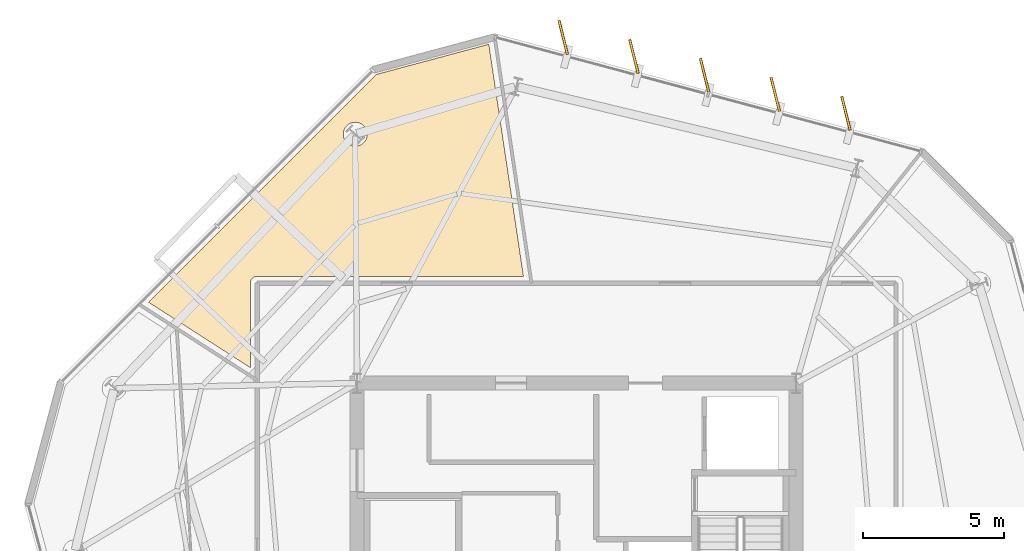
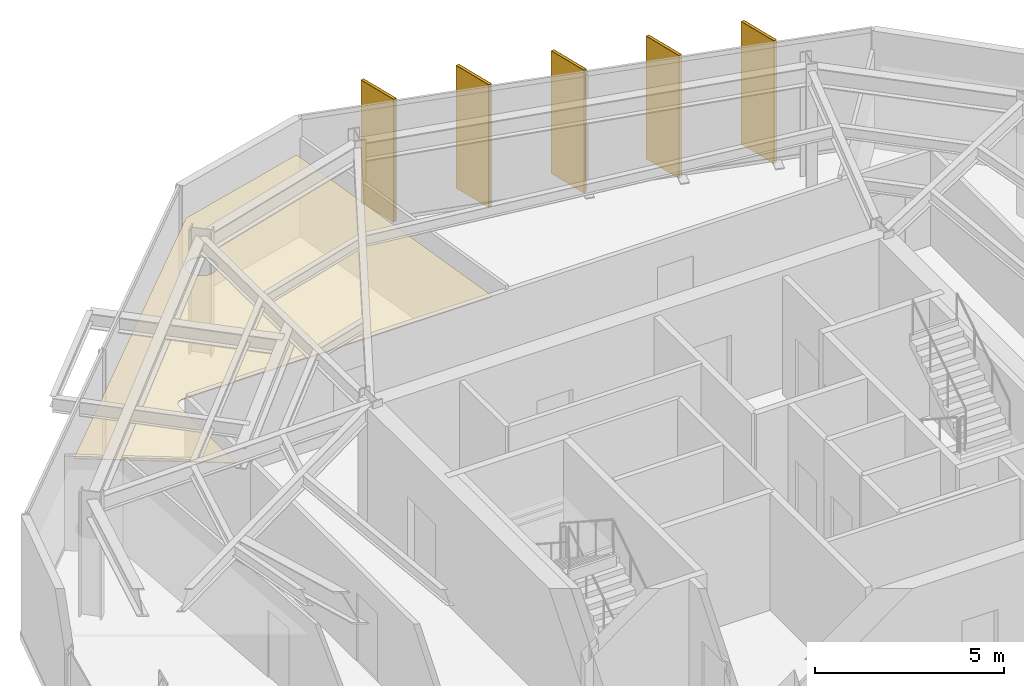
# One storey, part 12 of 12: 6 coverings, 5 shading devices.
"""IFC4 building model written with IfcOpenShell, lengths in metres."""

from ifc_helpers import new_model, si_unit, direction, frame, origin, origin_2d, place, context, subcontext, project, spatial, polyline, rectangle, outline, extrude, material, layer, layer_set, type_object, element, save


model = new_model("IFC4")

# Units and contexts
model_context = context("Model", 3, precision=1e-05, world=origin(), true_north=direction((0.0, 1.0)))
body_context = subcontext(model_context, "Body", "Model", "MODEL_VIEW")
ifc_project = project(units=[si_unit("LENGTHUNIT", "METRE"), si_unit("AREAUNIT", "SQUARE_METRE"), si_unit("VOLUMEUNIT", "CUBIC_METRE"), si_unit("PLANEANGLEUNIT", "RADIAN"), si_unit("MASSUNIT", "GRAM", prefix="KILO")], contexts=[model_context])

# Site, building, storey
site_placement = place(None, origin())
site = spatial("IfcSite", under=ifc_project, at=site_placement, CompositionType="ELEMENT")
building_placement = place(site_placement, origin())
building = spatial("IfcBuilding", under=site, at=building_placement, Name="Kranzbogen Civic Tower", CompositionType="ELEMENT")
storey_placement = place(building_placement, frame((0.0, 0.0, 204.800048828125)))
storey = spatial("IfcBuildingStorey", under=building, at=storey_placement, Name="L49", CompositionType="ELEMENT", Elevation=204.800048828125)

# Coverings
ifc_material_1 = material(Name="Pale Anodised Aluminium", Category="aluminium")
ifc_layer_1 = layer(ifc_material_1, 0.02490234375, Name="Pale Anodised Aluminium")
ifc_layer_set_1 = layer_set([ifc_layer_1], Name="Pale Anodised Aluminium")
covering_type_1 = type_object("IfcCoveringType", Name="Anodised Aluminium Vertical Fin Cladding 25 mm", PredefinedType="CLADDING", material=ifc_layer_set_1)
for number, where, z_axis, x_axis, name in (
    (1, (34.570068359375, 41.79296875, -0.14013671875), (0.0, 0.0, 1.0), (-0.240770155341, 0.970582161539, 0.0), "L49 vertical fin pale-metal cladding F1-1"),
    (2, (32.05908203125, 42.465087890625, -0.14013671875), (0.0, 0.0, 1.0), (-0.240770155341, 0.970582161539, 0.0), "L49 vertical fin pale-metal cladding F1-2"),
    (3, (29.547119140625, 43.137939453125, -0.14013671875), (0.0, 0.0, 1.0), (-0.240770155341, 0.970582161539, 0.0), "L49 vertical fin pale-metal cladding F1-3"),
    (4, (27.035888671875, 43.81103515625, -0.14013671875), (0.0, 0.0, 1.0), (-0.240770155341, 0.970582161539, 0.0), "L49 vertical fin pale-metal cladding F1-4"),
    (5, (24.52392578125, 44.48388671875, -0.14013671875), (0.0, 0.0, 1.0), (-0.240770155341, 0.970582161539, 0.0), "L49 vertical fin pale-metal cladding F1-5"),
):
    element("IfcCovering", number, at=place(storey_placement, frame(where, z_axis=z_axis, x_axis=x_axis)), inside=storey, type_object=covering_type_1, Name=name, PredefinedType="CLADDING", context=body_context, shape_type="SweptSolid", body=[
        extrude(rectangle(XDim=1.25, YDim=0.10009765625, at=origin_2d()), origin(), (0.0, 0.0, 1.0), 3.9599609375),
    ])

# Shading devices
ifc_material_2 = material(Name="Anodised Bronze Aluminium", Category="aluminium")
shading_device_type = type_object("IfcShadingDeviceType", Name="Anodised Bronze Vertical Facade Fin 1250x80", PredefinedType="USERDEFINED", material=ifc_material_2)
for number, where, z_axis, x_axis, name in (
    (6, (34.570068359375, 41.79296875, -0.14013671875), (0.0, 0.0, 1.0), (-0.240770155341, 0.970582161539, 0.0), "L49 vertical exterior shading fin F1-1"),
    (7, (32.05908203125, 42.465087890625, -0.14013671875), (0.0, 0.0, 1.0), (-0.240770155341, 0.970582161539, 0.0), "L49 vertical exterior shading fin F1-2"),
    (8, (29.547119140625, 43.137939453125, -0.14013671875), (0.0, 0.0, 1.0), (-0.240770155341, 0.970582161539, 0.0), "L49 vertical exterior shading fin F1-3"),
    (9, (27.035888671875, 43.81103515625, -0.14013671875), (0.0, 0.0, 1.0), (-0.240770155341, 0.970582161539, 0.0), "L49 vertical exterior shading fin F1-4"),
    (10, (24.52392578125, 44.48388671875, -0.14013671875), (0.0, 0.0, 1.0), (-0.240770155341, 0.970582161539, 0.0), "L49 vertical exterior shading fin F1-5"),
):
    element("IfcShadingDevice", number, at=place(storey_placement, frame(where, z_axis=z_axis, x_axis=x_axis)), inside=storey, type_object=shading_device_type, Name=name, ObjectType="FIN", PredefinedType="USERDEFINED", context=body_context, shape_type="SweptSolid", body=[
        extrude(rectangle(XDim=1.25, YDim=0.080078125, at=origin_2d()), origin(), (0.0, 0.0, 1.0), 3.9599609375),
    ])

# Covering
ifc_material_3 = material(Name="Perforated Acoustic Gypsum Ceiling")
ifc_layer_2 = layer(ifc_material_3, 0.02490234375, Name="Perforated Acoustic Gypsum Ceiling")
ifc_layer_set_2 = layer_set([ifc_layer_2], Name="Perforated Acoustic Gypsum Ceiling")
covering_type_2 = type_object("IfcCoveringType", Name="Perforated Acoustic Mineral Ceiling Tile 25 mm", PredefinedType="CEILING", material=ifc_layer_set_2)
covering_placement = place(storey_placement, frame((0.0, 0.0, 2.75)))
element("IfcCovering", 11, at=covering_placement, inside=storey, type_object=covering_type_2, Name="L49 Executive Briefing Conference Room acoustic ceiling", PredefinedType="CEILING", context=body_context, shape_type="SweptSolid", body=[
    extrude(outline(polyline([(21.8798828125, 44.239990234375), (23.111083984375, 35.9951171875), (13.64990234375, 35.9951171875), (13.64111328125, 35.9951171875), (13.635009765625, 35.993896484375), (13.616943359375, 35.992919921875), (13.611083984375, 35.991943359375), (13.593994140625, 35.988037109375), (13.5869140625, 35.987060546875), (13.570068359375, 35.98193359375), (13.56396484375, 35.97998046875), (13.548095703125, 35.972900390625), (13.5419921875, 35.969970703125), (13.527099609375, 35.9619140625), (13.52099609375, 35.9580078125), (13.507080078125, 35.948974609375), (13.501953125, 35.945068359375), (13.488037109375, 35.93408203125), (13.48291015625, 35.928955078125), (13.470947265625, 35.9169921875), (13.466064453125, 35.912109375), (13.455078125, 35.89794921875), (13.450927734375, 35.89306640625), (13.44189453125, 35.87890625), (13.43798828125, 35.873046875), (13.429931640625, 35.85791015625), (13.427001953125, 35.85205078125), (13.419921875, 35.8359375), (13.41796875, 35.830078125), (13.4130859375, 35.81298828125), (13.412109375, 35.805908203125), (13.407958984375, 35.7890625), (13.406982421875, 35.782958984375), (13.406005859375, 35.764892578125), (13.405029296875, 35.759033203125), (13.405029296875, 35.75), (13.405029296875, 32.7470703125), (9.7919921875, 35.070068359375), (17.89208984375, 43.1708984375), (21.8798828125, 44.239990234375)]), holes=[polyline([(17.52587890625, 40.881103515625), (17.508056640625, 40.843017578125), (17.487060546875, 40.80810546875), (17.4619140625, 40.77392578125), (17.43408203125, 40.742919921875), (17.403076171875, 40.715087890625), (17.368896484375, 40.68994140625), (17.333984375, 40.6689453125), (17.2958984375, 40.65087890625), (17.257080078125, 40.636962890625), (17.216064453125, 40.626953125), (17.175048828125, 40.62109375), (17.133056640625, 40.618896484375), (17.091064453125, 40.62109375), (17.050048828125, 40.626953125), (17.009033203125, 40.636962890625), (16.969970703125, 40.65087890625), (16.931884765625, 40.6689453125), (16.89697265625, 40.68994140625), (16.863037109375, 40.715087890625), (16.83203125, 40.742919921875), (16.803955078125, 40.77392578125), (16.779052734375, 40.80810546875), (16.758056640625, 40.843017578125), (16.739990234375, 40.881103515625), (16.72607421875, 40.919921875), (16.716064453125, 40.9609375), (16.7099609375, 41.001953125), (16.7080078125, 41.0439453125), (16.7099609375, 41.0859375), (16.716064453125, 41.126953125), (16.72607421875, 41.16796875), (16.739990234375, 41.20703125), (16.758056640625, 41.2451171875), (16.779052734375, 41.280029296875), (16.803955078125, 41.31396484375), (16.83203125, 41.344970703125), (16.863037109375, 41.373046875), (16.89697265625, 41.39794921875), (16.931884765625, 41.4189453125), (16.969970703125, 41.43701171875), (17.009033203125, 41.450927734375), (17.050048828125, 41.4609375), (17.091064453125, 41.467041015625), (17.133056640625, 41.468994140625), (17.175048828125, 41.467041015625), (17.216064453125, 41.4609375), (17.257080078125, 41.450927734375), (17.2958984375, 41.43701171875), (17.333984375, 41.4189453125), (17.368896484375, 41.39794921875), (17.403076171875, 41.373046875), (17.43408203125, 41.344970703125), (17.4619140625, 41.31396484375), (17.487060546875, 41.280029296875), (17.508056640625, 41.2451171875), (17.52587890625, 41.20703125), (17.5400390625, 41.16796875), (17.550048828125, 41.126953125), (17.555908203125, 41.0859375), (17.55810546875, 41.0439453125), (17.555908203125, 41.001953125), (17.550048828125, 40.9609375), (17.5400390625, 40.919921875), (17.52587890625, 40.881103515625)])]), origin(), (0.0, 0.0, 1.0), 0.02490234375),
])

save(model, "model.ifc")
